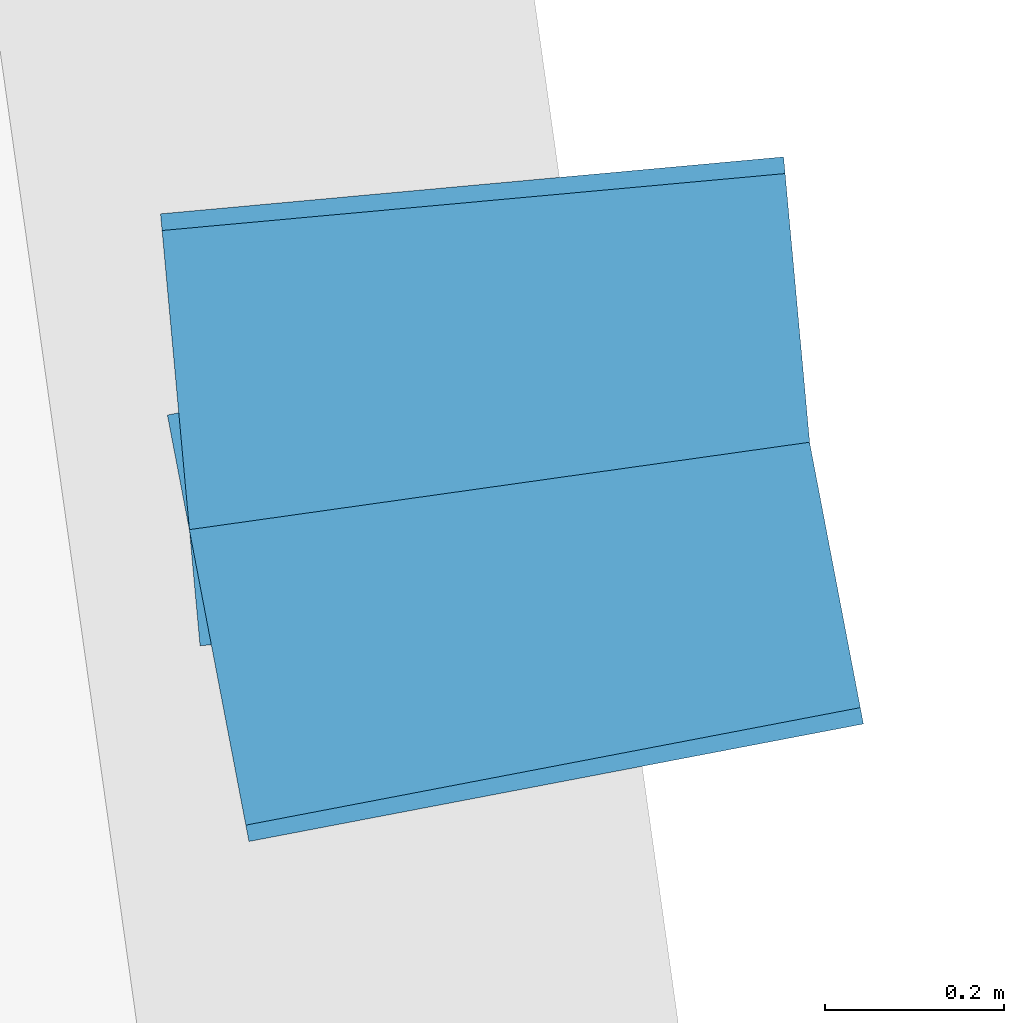
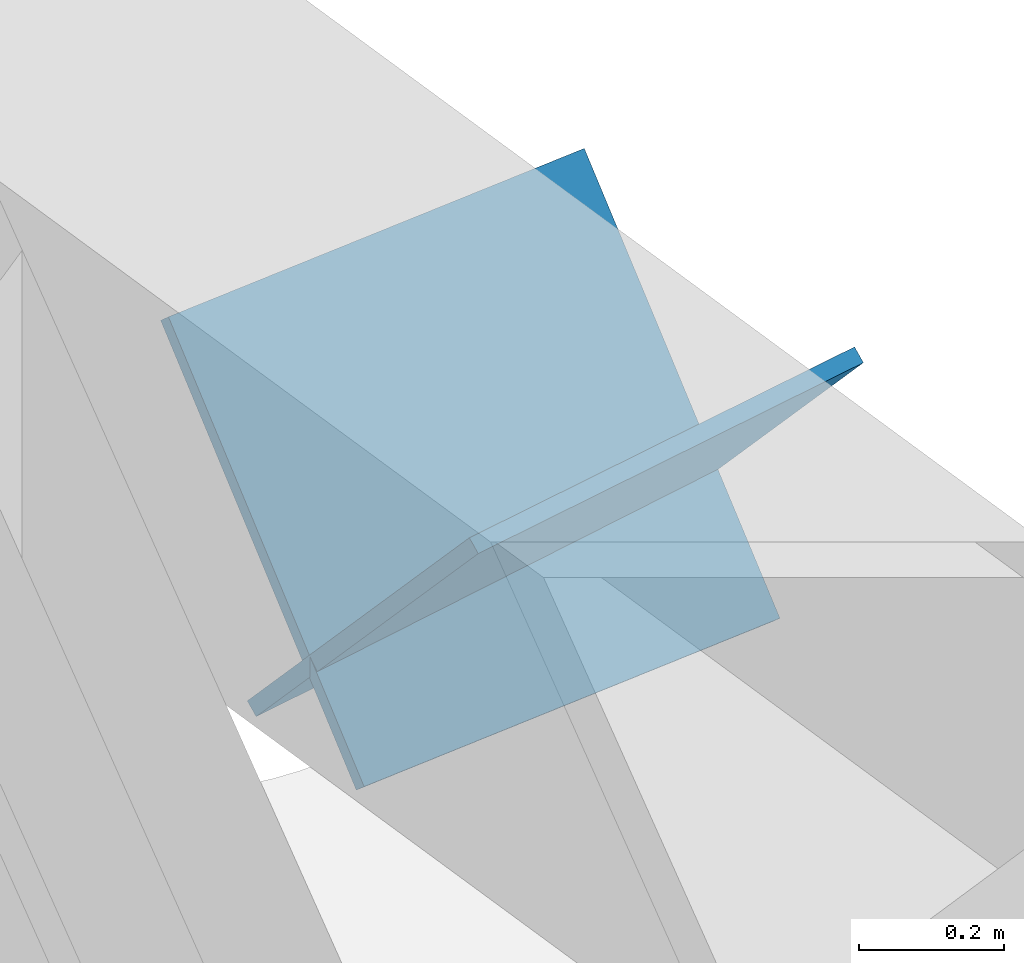
# One storey, part 28 of 32: 2 discrete accessories.
"""IFC4 building model written with IfcOpenShell, lengths in metres."""

from ifc_helpers import new_model, si_unit, direction, frame, origin, origin_2d, place, context, subcontext, project, spatial, rectangle, extrude, material, material_profile, profile_set, type_object, element, save


model = new_model("IFC4")

# Units and contexts
model_context = context("Model", 3, precision=1e-05, world=origin(), true_north=direction((0.0, 1.0)))
body_context = subcontext(model_context, "Body", "Model", "MODEL_VIEW")
ifc_project = project(units=[si_unit("LENGTHUNIT", "METRE"), si_unit("AREAUNIT", "SQUARE_METRE"), si_unit("VOLUMEUNIT", "CUBIC_METRE"), si_unit("PLANEANGLEUNIT", "RADIAN"), si_unit("MASSUNIT", "GRAM", prefix="KILO")], contexts=[model_context])

# Site, building, storey
site_placement = place(None, origin())
site = spatial("IfcSite", under=ifc_project, at=site_placement, CompositionType="ELEMENT")
building_placement = place(site_placement, origin())
building = spatial("IfcBuilding", under=site, at=building_placement, Name="Mirante Cascada Hotel Towers", CompositionType="ELEMENT")
storey_placement = place(building_placement, frame((0.0, 0.0, 176.4)))
storey = spatial("IfcBuildingStorey", under=building, at=storey_placement, Name="L41", CompositionType="ELEMENT", Elevation=176.4)

# Discrete accessories
ifc_material = material(Name="Steel ASTM A572 Gr 50", Category="steel")
ifc_material_profile = material_profile(ifc_material, rectangle(XDim=0.7, YDim=0.7, at=origin_2d()), Name="Connection plate 700x700x25 ASTM A572 Gr 50")
ifc_profile_set = profile_set([ifc_material_profile], Name="Steel ASTM A572 Gr 50")
discrete_accessory_type = type_object("IfcDiscreteAccessoryType", Name="Connection plate 700x700x25 ASTM A572 Gr 50", PredefinedType="BRACKET", material=ifc_profile_set)
discrete_accessory_1_placement = place(storey_placement, frame((93.398, 6.8047, 0.8311), z_axis=(-0.1398848, 0.7313976, 0.6674502), x_axis=(-0.9821974, -0.187852, 0.0)))
element("IfcDiscreteAccessory", 1, at=discrete_accessory_1_placement, inside=storey, type_object=discrete_accessory_type, Name="Connection plate MB-OL36L", PredefinedType="BRACKET", context=body_context, shape_type="SweptSolid", body=[
    extrude(rectangle(XDim=0.7, YDim=0.7, at=origin_2d()), origin(), (0.0, 0.0, 1.0), 0.025),
])
discrete_accessory_2_placement = place(storey_placement, frame((93.369, 7.0113, 0.8311), z_axis=(0.0678514, -0.7423745, 0.6665405), x_axis=(0.9958492, 0.0910185, 0.0)))
element("IfcDiscreteAccessory", 2, at=discrete_accessory_2_placement, inside=storey, type_object=discrete_accessory_type, Name="Connection plate MB-OL36R", PredefinedType="BRACKET", context=body_context, shape_type="SweptSolid", body=[
    extrude(rectangle(XDim=0.7, YDim=0.7, at=origin_2d()), origin(), (0.0, 0.0, 1.0), 0.0251),
])

save(model, "model.ifc")
